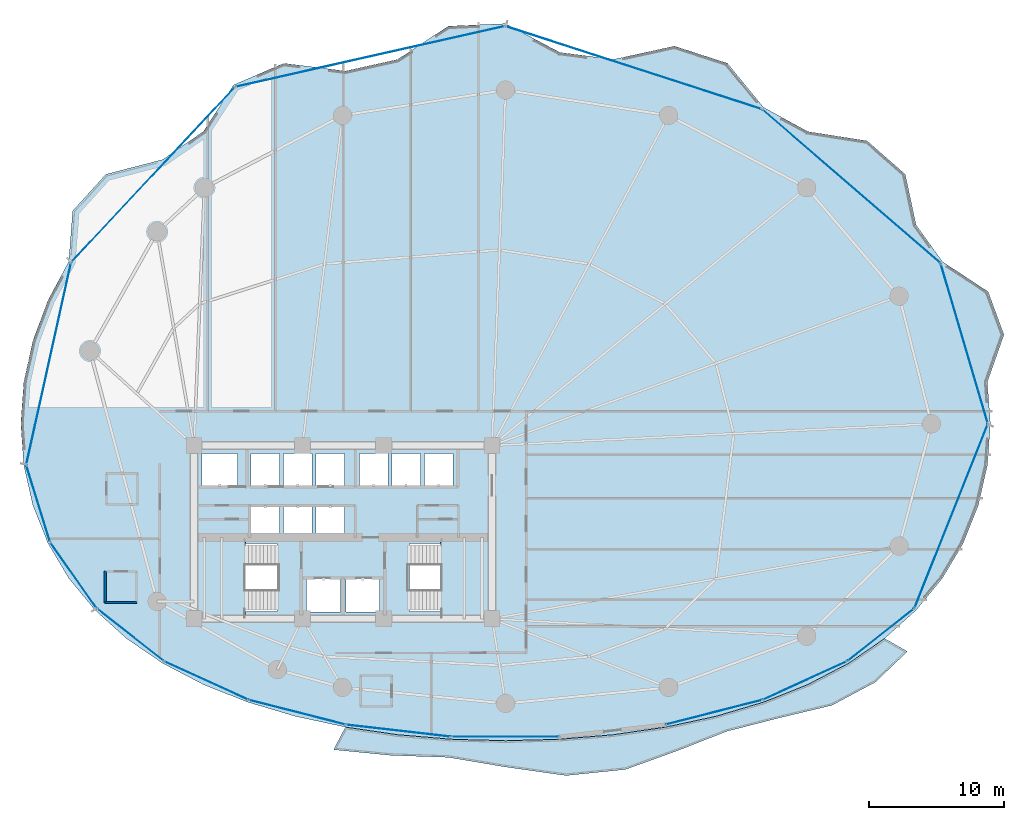
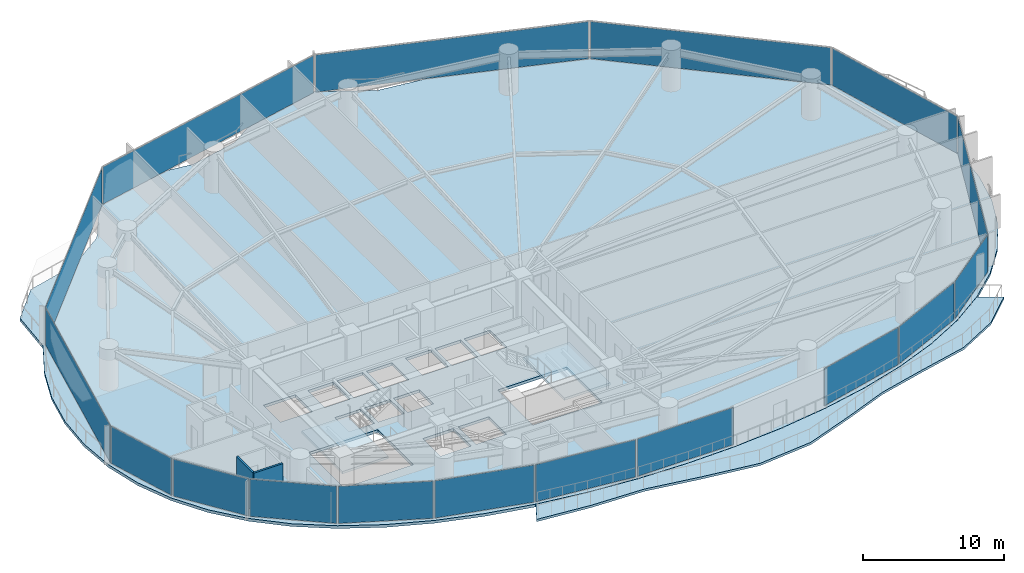
# One storey, part 25 of 34: 17 plates, 4 slabs, 2 walls, 19 elements without a shape of their own.
"""IFC4 building model written with IfcOpenShell, lengths in metres."""

from ifc_helpers import new_model, si_unit, direction, frame, frame_2d, origin, origin_2d, place, context, subcontext, project, spatial, polyline, rectangle, outline, extrude, material, layer, layer_set, type_object, element, aggregate, save


model = new_model("IFC4")

# Units and contexts
model_context = context("Model", 3, precision=1e-05, world=origin(), true_north=direction((0.0, 1.0)))
body_context = subcontext(model_context, "Body", "Model", "MODEL_VIEW")
ifc_project = project(units=[si_unit("LENGTHUNIT", "METRE"), si_unit("AREAUNIT", "SQUARE_METRE"), si_unit("VOLUMEUNIT", "CUBIC_METRE"), si_unit("PLANEANGLEUNIT", "RADIAN"), si_unit("MASSUNIT", "GRAM", prefix="KILO")], contexts=[model_context])

# Site, building, storey
site_placement = place(None, origin())
site = spatial("IfcSite", under=ifc_project, at=site_placement, CompositionType="ELEMENT")
building_placement = place(site_placement, origin())
building = spatial("IfcBuilding", under=site, at=building_placement, Name="Kazevale Care Tower and Concert Hall", CompositionType="ELEMENT")
storey_placement = place(building_placement, frame((0.0, 0.0, 67.199951171875)))
storey = spatial("IfcBuildingStorey", under=building, at=storey_placement, Name="L17", CompositionType="ELEMENT", Elevation=67.199951171875)

# Curtain wall, plate
ifc_material_1 = material(Name="Aluminium 6063-T6 and Low-E Glass", Category="aluminium")
ifc_layer_1 = layer(ifc_material_1, 0.179931640625)
ifc_layer_set_1 = layer_set([ifc_layer_1], Name="Aluminium 6063-T6 and Low-E Glass")
curtain_wall_type_1 = type_object("IfcCurtainWallType", Name="Convex Checkerboard Finned Curtain Wall CW-2", PredefinedType="NOTDEFINED", material=ifc_layer_set_1)
curtain_wall_1_placement = place(storey_placement, origin())
curtain_wall_1 = element("IfcCurtainWall", 1, at=curtain_wall_1_placement, inside=storey, type_object=curtain_wall_type_1, Name="cw:L17:f14", PredefinedType="NOTDEFINED")
ifc_material_2 = material(Name="Low-E Laminated Glass", Category="glass")
ifc_layer_2 = layer(ifc_material_2, 0.028076171875)
ifc_layer_set_2 = layer_set([ifc_layer_2], Name="Low-E Laminated Glass")
plate_type_1 = type_object("IfcPlateType", Name="CW-2 Low-E Glazing Panel 28mm", PredefinedType="CURTAIN_PANEL", material=ifc_layer_set_2)
plate_1_placement = place(storey_placement, frame((18.9794921875, 56.39990234375, 0.074951171875), z_axis=(0.0, 0.0, 1.0), x_axis=(0.683059159381, 0.730363049987, 0.0)))
plate_1 = element("IfcPlate", 2, at=plate_1_placement, type_object=plate_type_1, Name="CW-2 panel 1.1", PredefinedType="CURTAIN_PANEL", context=body_context, shape_type="SweptSolid", body=[
    extrude(rectangle(XDim=17.576416015625, YDim=0.028076171875, at=origin_2d()), origin(), (0.0, 0.0, 1.0), 3.2099609375),
])
aggregate(curtain_wall_1, [plate_1])

curtain_wall_2_placement = place(storey_placement, origin())
curtain_wall_2 = element("IfcCurtainWall", 3, at=curtain_wall_2_placement, inside=storey, type_object=curtain_wall_type_1, Name="cw:L17:f16", PredefinedType="NOTDEFINED")
plate_2_placement = place(storey_placement, frame((54.444580078125, 64.298095703125, 0.074951171875), z_axis=(0.0, 0.0, 1.0), x_axis=(0.951410385043, -0.307925769029, 0.0)))
plate_2 = element("IfcPlate", 4, at=plate_2_placement, type_object=plate_type_1, Name="CW-2 panel 1.1", PredefinedType="CURTAIN_PANEL", context=body_context, shape_type="SweptSolid", body=[
    extrude(rectangle(XDim=19.77978515625, YDim=0.028076171875, at=origin_2d()), origin(), (0.0, 0.0, 1.0), 3.2099609375),
])
aggregate(curtain_wall_2, [plate_2])

ifc_layer_3 = layer(ifc_material_1, 0.179931640625)
ifc_layer_set_3 = layer_set([ifc_layer_3], Name="Aluminium 6063-T6 and Low-E Glass")
curtain_wall_type_2 = type_object("IfcCurtainWallType", Name="Convex Recessed Sunroom Curtain Wall CW-3", PredefinedType="NOTDEFINED", material=ifc_layer_set_3)
curtain_wall_3_placement = place(storey_placement, origin())
curtain_wall_3 = element("IfcCurtainWall", 5, at=curtain_wall_3_placement, inside=storey, type_object=curtain_wall_type_2, Name="cw:L17:f15", PredefinedType="NOTDEFINED")
ifc_layer_4 = layer(ifc_material_2, 0.028076171875)
ifc_layer_set_4 = layer_set([ifc_layer_4], Name="Low-E Laminated Glass")
plate_type_2 = type_object("IfcPlateType", Name="CW-3 Low-E Glazing Panel 28mm", PredefinedType="CURTAIN_PANEL", material=ifc_layer_set_4)
plate_3_placement = place(storey_placement, frame((34.998046875, 65.12255859375, 0.074951171875), z_axis=(0.0, 0.0, 1.0), x_axis=(0.975520013596, 0.219910670667, 0.0)))
plate_3 = element("IfcPlate", 6, at=plate_3_placement, type_object=plate_type_2, Name="CW-3 panel 1.1", PredefinedType="CURTAIN_PANEL", context=body_context, shape_type="SweptSolid", body=[
    extrude(rectangle(XDim=20.27197265625, YDim=0.028076171875, at=origin_2d()), origin(), (0.0, 0.0, 1.0), 3.2099609375),
])
aggregate(curtain_wall_3, [plate_3])

curtain_wall_4_placement = place(storey_placement, origin())
curtain_wall_4 = element("IfcCurtainWall", 7, at=curtain_wall_4_placement, inside=storey, type_object=curtain_wall_type_2, Name="cw:L17:f17", PredefinedType="NOTDEFINED")
plate_4_placement = place(storey_placement, frame((70.529052734375, 55.535400390625, 0.074951171875), z_axis=(0.0, 0.0, 1.0), x_axis=(0.757199570248, -0.653183596561, 0.0)))
plate_4 = element("IfcPlate", 8, at=plate_4_placement, type_object=plate_type_2, Name="CW-3 panel 1.1", PredefinedType="CURTAIN_PANEL", context=body_context, shape_type="SweptSolid", body=[
    extrude(rectangle(XDim=17.280029296875, YDim=0.028076171875, at=origin_2d()), origin(), (0.0, 0.0, 1.0), 3.2099609375),
])
aggregate(curtain_wall_4, [plate_4])

ifc_layer_5 = layer(ifc_material_1, 0.179931640625)
ifc_layer_set_5 = layer_set([ifc_layer_5], Name="Aluminium 6063-T6 and Low-E Glass")
curtain_wall_type_3 = type_object("IfcCurtainWallType", Name="Waist & Upper Residential Curtain Wall CW-4", PredefinedType="NOTDEFINED", material=ifc_layer_set_5)
curtain_wall_5_placement = place(storey_placement, origin())
curtain_wall_5 = element("IfcCurtainWall", 9, at=curtain_wall_5_placement, inside=storey, type_object=curtain_wall_type_3, Name="cw:L17:f01", PredefinedType="NOTDEFINED")
ifc_layer_6 = layer(ifc_material_2, 0.030029296875)
ifc_layer_set_6 = layer_set([ifc_layer_6], Name="Low-E Laminated Glass")
plate_type_3 = type_object("IfcPlateType", Name="CW-4 Low-E Glazing Panel 30mm", PredefinedType="CURTAIN_PANEL", material=ifc_layer_set_6)
plate_5_placement = place(storey_placement, frame((77.90087890625, 31.181884765625, 0.080078125), z_axis=(0.0, 0.0, 1.0), x_axis=(-0.370427424456, -0.928861412274, 0.0)))
plate_5 = element("IfcPlate", 10, at=plate_5_placement, type_object=plate_type_3, Name="CW-4 panel 1.1", PredefinedType="CURTAIN_PANEL", context=body_context, shape_type="SweptSolid", body=[
    extrude(rectangle(XDim=14.520263671875, YDim=0.030029296875, at=origin_2d()), origin(), (0.0, 0.0, 1.0), 3.199951171875),
])
aggregate(curtain_wall_5, [plate_5])

curtain_wall_6_placement = place(storey_placement, origin())
curtain_wall_6 = element("IfcCurtainWall", 11, at=curtain_wall_6_placement, inside=storey, type_object=curtain_wall_type_3, Name="cw:L17:f11", PredefinedType="NOTDEFINED")
plate_6_placement = place(storey_placement, frame((13.094482421875, 26.81103515625, 0.080078125), z_axis=(0.0, 0.0, 1.0), x_axis=(-0.575836813322, 0.817564654583, 0.0)))
plate_6 = element("IfcPlate", 12, at=plate_6_placement, type_object=plate_type_3, Name="CW-4 panel 1.1", PredefinedType="CURTAIN_PANEL", context=body_context, shape_type="SweptSolid", body=[
    extrude(rectangle(XDim=5.826171875, YDim=0.030029296875, at=origin_2d()), origin(), (0.0, 0.0, 1.0), 3.199951171875),
])
aggregate(curtain_wall_6, [plate_6])

curtain_wall_7_placement = place(storey_placement, origin())
curtain_wall_7 = element("IfcCurtainWall", 13, at=curtain_wall_7_placement, inside=storey, type_object=curtain_wall_type_3, Name="cw:L17:f12", PredefinedType="NOTDEFINED")
plate_7_placement = place(storey_placement, frame((10.487548828125, 32.10791015625, 0.080078125), z_axis=(0.0, 0.0, 1.0), x_axis=(-0.296098771112, 0.955157326175, 0.0)))
plate_7 = element("IfcPlate", 14, at=plate_7_placement, type_object=plate_type_3, Name="CW-4 panel 1.1", PredefinedType="CURTAIN_PANEL", context=body_context, shape_type="SweptSolid", body=[
    extrude(rectangle(XDim=5.8076171875, YDim=0.030029296875, at=origin_2d()), origin(), (0.0, 0.0, 1.0), 3.199951171875),
])
aggregate(curtain_wall_7, [plate_7])

curtain_wall_8_placement = place(storey_placement, origin())
curtain_wall_8 = element("IfcCurtainWall", 15, at=curtain_wall_8_placement, inside=storey, type_object=curtain_wall_type_3, Name="cw:L17:f13", PredefinedType="NOTDEFINED")
plate_8_placement = place(storey_placement, frame((11.262939453125, 42.4404296875, 0.080078125), z_axis=(0.0, 0.0, 1.0), x_axis=(0.216460716862, 0.976291328475, 0.0)))
plate_8 = element("IfcPlate", 16, at=plate_8_placement, type_object=plate_type_3, Name="CW-4 panel 1.1", PredefinedType="CURTAIN_PANEL", context=body_context, shape_type="SweptSolid", body=[
    extrude(rectangle(XDim=15.16845703125, YDim=0.030029296875, at=origin_2d()), origin(), (0.0, 0.0, 1.0), 3.199951171875),
])
aggregate(curtain_wall_8, [plate_8])

curtain_wall_9_placement = place(storey_placement, origin())
curtain_wall_9 = element("IfcCurtainWall", 17, at=curtain_wall_9_placement, inside=storey, type_object=curtain_wall_type_3, Name="cw:L17:f18", PredefinedType="NOTDEFINED")
plate_9_placement = place(storey_placement, frame((78.8740234375, 43.92138671875, 0.080078125), z_axis=(0.0, 0.0, 1.0), x_axis=(0.282819600918, -0.959173119586, 0.0)))
plate_9 = element("IfcPlate", 18, at=plate_9_placement, type_object=plate_type_3, Name="CW-4 panel 1.1", PredefinedType="CURTAIN_PANEL", context=body_context, shape_type="SweptSolid", body=[
    extrude(rectangle(XDim=12.18701171875, YDim=0.030029296875, at=origin_2d()), origin(), (0.0, 0.0, 1.0), 3.199951171875),
])
aggregate(curtain_wall_9, [plate_9])

ifc_layer_7 = layer(ifc_material_1, 0.179931640625)
ifc_layer_set_7 = layer_set([ifc_layer_7], Name="Aluminium 6063-T6 and Low-E Glass")
curtain_wall_type_4 = type_object("IfcCurtainWallType", Name="Sheltered Concave Balcony Curtain Wall CW-5", PredefinedType="NOTDEFINED", material=ifc_layer_set_7)
curtain_wall_10_placement = place(storey_placement, origin())
curtain_wall_10 = element("IfcCurtainWall", 19, at=curtain_wall_10_placement, inside=storey, type_object=curtain_wall_type_4, Name="cw:L17:f02", PredefinedType="NOTDEFINED")
ifc_layer_8 = layer(ifc_material_2, 0.02587890625)
ifc_layer_set_8 = layer_set([ifc_layer_8], Name="Low-E Laminated Glass")
plate_type_4 = type_object("IfcPlateType", Name="CW-5 Low-E Glazing Panel 26mm", PredefinedType="CURTAIN_PANEL", material=ifc_layer_set_8)
plate_10_placement = place(storey_placement, frame((72.701904296875, 22.41552734375, 0.074951171875), z_axis=(0.0, 0.0, 1.0), x_axis=(-0.78632934107, -0.617807548814, 0.0)))
plate_10 = element("IfcPlate", 20, at=plate_10_placement, type_object=plate_type_4, Name="CW-5 panel 1.1", PredefinedType="CURTAIN_PANEL", context=body_context, shape_type="SweptSolid", body=[
    extrude(rectangle(XDim=6.15771484375, YDim=0.02587890625, at=origin_2d()), origin(), (0.0, 0.0, 1.0), 3.2099609375),
])
aggregate(curtain_wall_10, [plate_10])

curtain_wall_11_placement = place(storey_placement, origin())
curtain_wall_11 = element("IfcCurtainWall", 21, at=curtain_wall_11_placement, inside=storey, type_object=curtain_wall_type_4, Name="cw:L17:f03", PredefinedType="NOTDEFINED")
plate_11_placement = place(storey_placement, frame((67.10498046875, 19.04248046875, 0.074951171875), z_axis=(0.0, 0.0, 1.0), x_axis=(-0.909520179795, -0.415659767773, 0.0)))
plate_11 = element("IfcPlate", 22, at=plate_11_placement, type_object=plate_type_4, Name="CW-5 panel 1.1", PredefinedType="CURTAIN_PANEL", context=body_context, shape_type="SweptSolid", body=[
    extrude(rectangle(XDim=6.7041015625, YDim=0.02587890625, at=origin_2d()), origin(), (0.0, 0.0, 1.0), 3.2099609375),
])
aggregate(curtain_wall_11, [plate_11])

curtain_wall_12_placement = place(storey_placement, origin())
curtain_wall_12 = element("IfcCurtainWall", 23, at=curtain_wall_12_placement, inside=storey, type_object=curtain_wall_type_4, Name="cw:L17:f04", PredefinedType="NOTDEFINED")
plate_12_placement = place(storey_placement, frame((60.389892578125, 16.699951171875, 0.074951171875), z_axis=(0.0, 0.0, 1.0), x_axis=(-0.968958899798, -0.247221864936, 0.0)))
plate_12 = element("IfcPlate", 24, at=plate_12_placement, type_object=plate_type_4, Name="CW-5 panel 1.1", PredefinedType="CURTAIN_PANEL", context=body_context, shape_type="SweptSolid", body=[
    extrude(rectangle(XDim=7.276611328125, YDim=0.02587890625, at=origin_2d()), origin(), (0.0, 0.0, 1.0), 3.2099609375),
])
aggregate(curtain_wall_12, [plate_12])

curtain_wall_13_placement = place(storey_placement, origin())
curtain_wall_13 = element("IfcCurtainWall", 25, at=curtain_wall_13_placement, inside=storey, type_object=curtain_wall_type_4, Name="cw:L17:f06", PredefinedType="NOTDEFINED")
plate_13_placement = place(storey_placement, frame((45.0, 14.889892578125, 0.074951171875), z_axis=(0.0, 0.0, 1.0), x_axis=(-1.0, 0.0, 0.0)))
plate_13 = element("IfcPlate", 26, at=plate_13_placement, type_object=plate_type_4, Name="CW-5 panel 1.1", PredefinedType="CURTAIN_PANEL", context=body_context, shape_type="SweptSolid", body=[
    extrude(rectangle(XDim=7.845947265625, YDim=0.02587890625, at=origin_2d()), origin(), (0.0, 0.0, 1.0), 3.2099609375),
])
aggregate(curtain_wall_13, [plate_13])

curtain_wall_14_placement = place(storey_placement, origin())
curtain_wall_14 = element("IfcCurtainWall", 27, at=curtain_wall_14_placement, inside=storey, type_object=curtain_wall_type_4, Name="cw:L17:f07", PredefinedType="NOTDEFINED")
plate_14_placement = place(storey_placement, frame((37.10498046875, 15.3359375, 0.074951171875), z_axis=(0.0, 0.0, 1.0), x_axis=(-0.993514581883, 0.113704773808, 0.0)))
plate_14 = element("IfcPlate", 28, at=plate_14_placement, type_object=plate_type_4, Name="CW-5 panel 1.1", PredefinedType="CURTAIN_PANEL", context=body_context, shape_type="SweptSolid", body=[
    extrude(rectangle(XDim=7.69482421875, YDim=0.02587890625, at=origin_2d()), origin(), (0.0, 0.0, 1.0), 3.2099609375),
])
aggregate(curtain_wall_14, [plate_14])

curtain_wall_15_placement = place(storey_placement, origin())
curtain_wall_15 = element("IfcCurtainWall", 29, at=curtain_wall_15_placement, inside=storey, type_object=curtain_wall_type_4, Name="cw:L17:f08", PredefinedType="NOTDEFINED")
plate_15_placement = place(storey_placement, frame((29.610107421875, 16.699951171875, 0.074951171875), z_axis=(0.0, 0.0, 1.0), x_axis=(-0.968958899798, 0.247221864936, 0.0)))
plate_15 = element("IfcPlate", 30, at=plate_15_placement, type_object=plate_type_4, Name="CW-5 panel 1.1", PredefinedType="CURTAIN_PANEL", context=body_context, shape_type="SweptSolid", body=[
    extrude(rectangle(XDim=7.276611328125, YDim=0.02587890625, at=origin_2d()), origin(), (0.0, 0.0, 1.0), 3.2099609375),
])
aggregate(curtain_wall_15, [plate_15])

curtain_wall_16_placement = place(storey_placement, origin())
curtain_wall_16 = element("IfcCurtainWall", 31, at=curtain_wall_16_placement, inside=storey, type_object=curtain_wall_type_4, Name="cw:L17:f09", PredefinedType="NOTDEFINED")
plate_16_placement = place(storey_placement, frame((22.89501953125, 19.04248046875, 0.074951171875), z_axis=(0.0, 0.0, 1.0), x_axis=(-0.909520179795, 0.415659767773, 0.0)))
plate_16 = element("IfcPlate", 32, at=plate_16_placement, type_object=plate_type_4, Name="CW-5 panel 1.1", PredefinedType="CURTAIN_PANEL", context=body_context, shape_type="SweptSolid", body=[
    extrude(rectangle(XDim=6.7041015625, YDim=0.02587890625, at=origin_2d()), origin(), (0.0, 0.0, 1.0), 3.2099609375),
])
aggregate(curtain_wall_16, [plate_16])

curtain_wall_17_placement = place(storey_placement, origin())
curtain_wall_17 = element("IfcCurtainWall", 33, at=curtain_wall_17_placement, inside=storey, type_object=curtain_wall_type_4, Name="cw:L17:f10", PredefinedType="NOTDEFINED")
plate_17_placement = place(storey_placement, frame((17.298095703125, 22.41552734375, 0.074951171875), z_axis=(0.0, 0.0, 1.0), x_axis=(-0.78632934107, 0.617807548814, 0.0)))
plate_17 = element("IfcPlate", 34, at=plate_17_placement, type_object=plate_type_4, Name="CW-5 panel 1.1", PredefinedType="CURTAIN_PANEL", context=body_context, shape_type="SweptSolid", body=[
    extrude(rectangle(XDim=6.15771484375, YDim=0.02587890625, at=origin_2d()), origin(), (0.0, 0.0, 1.0), 3.2099609375),
])
aggregate(curtain_wall_17, [plate_17])

# Slab
ifc_material_3 = material(Name="Concrete C40", Category="concrete")
ifc_layer_9 = layer(ifc_material_3, 0.199951171875)
ifc_layer_set_9 = layer_set([ifc_layer_9], Name="Concrete C40")
slab_type_1 = type_object("IfcSlabType", Name="Sinusoidal Concave Balcony Slab 200", PredefinedType="USERDEFINED", material=ifc_layer_set_9)
slab_1_placement = place(storey_placement, frame((0.0, 0.0, -0.199951171875)))
element("IfcSlab", 35, at=slab_1_placement, inside=storey, type_object=slab_type_1, Name="slab:L17:bal", ObjectType="BALCONY", PredefinedType="USERDEFINED", context=body_context, shape_type="SweptSolid", body=[
    extrude(outline(polyline([(74.67236328125, 21.18994140625), (72.302001953125, 18.92333984375), (69.1015625, 17.212158203125), (65.14111328125, 16.266845703125), (61.33349609375, 15.290283203125), (57.735595703125, 13.87841796875), (53.857421875, 12.475830078125), (49.470458984375, 12.025146484375), (45.0, 12.660400390625), (40.76123046875, 13.37109375), (36.50439453125, 13.517822265625), (32.29541015625, 13.9375), (33.173583984375, 15.6005859375), (33.175048828125, 15.600341796875), (37.033203125, 15.038818359375), (40.991455078125, 14.705322265625), (45.0, 14.594970703125), (49.008544921875, 14.705322265625), (52.966796875, 15.038818359375), (56.824951171875, 15.600341796875), (60.5341796875, 16.3984375), (64.04833984375, 17.443115234375), (67.322998046875, 18.743408203125), (70.31689453125, 20.3076171875), (72.99267578125, 22.139404296875), (72.994140625, 22.140625), (74.67236328125, 21.18994140625)])), origin(), (0.0, 0.0, 1.0), 0.199951171875),
])

# Stair, slab
stair_type = type_object("IfcStairType", Name="Exit Stair Assembly ST1-Z1", PredefinedType="HALF_TURN_STAIR", material=ifc_material_3)
stair_1_placement = place(storey_placement, origin())
stair_1 = element("IfcStair", 36, at=stair_1_placement, inside=storey, type_object=stair_type, Name="stair:L17:ST1", PredefinedType="HALF_TURN_STAIR")
ifc_layer_10 = layer(ifc_material_3, 0.199951171875)
ifc_layer_set_10 = layer_set([ifc_layer_10], Name="Concrete C40")
slab_type_2 = type_object("IfcSlabType", Name="Stair Half-Landing Slab ST1-Z1", PredefinedType="LANDING", material=ifc_layer_set_10)
slab_2_placement = place(storey_placement, frame((0.0, 0.0, 1.60009765625)))
slab_2 = element("IfcSlab", 37, at=slab_2_placement, type_object=slab_type_2, Name="ST1-Z1 landing 1", PredefinedType="LANDING", context=body_context, shape_type="SweptSolid", body=[
    extrude(outline(polyline([(22.050048828125, 23.699951171875), (25.81005859375, 23.699951171875), (25.81005859375, 29.5), (22.050048828125, 29.5), (22.050048828125, 23.699951171875)])), origin(), (0.0, 0.0, 1.0), 0.199951171875),
])
aggregate(stair_1, [slab_2])

stair_2_placement = place(storey_placement, origin())
stair_2 = element("IfcStair", 38, at=stair_2_placement, inside=storey, type_object=stair_type, Name="stair:L17:ST2", PredefinedType="HALF_TURN_STAIR")
slab_3_placement = place(storey_placement, frame((0.0, 0.0, 1.60009765625)))
slab_3 = element("IfcSlab", 39, at=slab_3_placement, type_object=slab_type_2, Name="ST1-Z1 landing 1", PredefinedType="LANDING", context=body_context, shape_type="SweptSolid", body=[
    extrude(outline(polyline([(40.18994140625, 23.699951171875), (43.949951171875, 23.699951171875), (43.949951171875, 29.5), (40.18994140625, 29.5), (40.18994140625, 23.699951171875)])), origin(), (0.0, 0.0, 1.0), 0.199951171875),
])
aggregate(stair_2, [slab_3])

# Slab
ifc_layer_11 = layer(ifc_material_3, 0.239990234375)
ifc_layer_set_11 = layer_set([ifc_layer_11], Name="Concrete C40")
slab_type_3 = type_object("IfcSlabType", Name="Tower Typical Floor Slab 240", PredefinedType="FLOOR", material=ifc_layer_set_11)
slab_4_placement = place(storey_placement, frame((0.0, 0.0, -0.239990234375)))
element("IfcSlab", 40, at=slab_4_placement, inside=storey, type_object=slab_type_3, Name="slab:L17:tw:1", PredefinedType="FLOOR", context=body_context, shape_type="SweptSolid", body=[
    extrude(outline(polyline([(80.800048828125, 38.0), (80.574951171875, 41.090087890625), (81.803466796875, 44.575439453125), (80.631591796875, 47.759765625), (77.254638671875, 49.97509765625), (75.312744140625, 52.68408203125), (74.51416015625, 56.424072265625), (71.693359375, 58.89501953125), (67.32080078125, 59.57861328125), (64.046630859375, 61.36962890625), (61.379150390625, 64.62353515625), (57.468017578125, 65.891845703125), (52.96630859375, 64.907958984375), (49.00830078125, 65.426513671875), (45.0, 67.550048828125), (40.773193359375, 67.3642578125), (37.03369140625, 64.907958984375), (33.176025390625, 64.05126953125), (28.620849609375, 64.62353515625), (24.915771484375, 63.020751953125), (22.67919921875, 59.57861328125), (19.685546875, 57.51611328125), (15.48583984375, 56.424072265625), (13.0361328125, 53.721435546875), (12.745361328125, 49.97509765625), (11.208984375, 47.11572265625), (10.09765625, 44.1416015625), (9.425048828125, 41.090087890625), (9.199951171875, 38.0), (9.425048828125, 34.931640625), (10.09765625, 31.972412109375), (11.208984375, 29.178466796875), (12.745361328125, 26.591064453125), (14.687255859375, 24.239501953125), (17.010498046875, 22.143310546875), (19.685546875, 20.31201171875), (22.67919921875, 18.748046875), (25.953369140625, 17.44775390625), (29.467041015625, 16.4033203125), (33.176025390625, 15.605224609375), (37.03369140625, 15.043701171875), (40.99169921875, 14.71044921875), (45.0, 14.60009765625), (49.00830078125, 14.71044921875), (52.96630859375, 15.043701171875), (56.823974609375, 15.605224609375), (60.532958984375, 16.4033203125), (64.046630859375, 17.44775390625), (67.32080078125, 18.748046875), (70.314453125, 20.31201171875), (72.989501953125, 22.143310546875), (75.312744140625, 24.239501953125), (77.254638671875, 26.591064453125), (78.791015625, 29.178466796875), (79.90234375, 31.972412109375), (80.574951171875, 34.931640625), (80.800048828125, 38.0)]), holes=[polyline([(22.449951171875, 24.14990234375), (28.110107421875, 24.14990234375), (28.110107421875, 29.14990234375), (22.449951171875, 29.14990234375), (22.449951171875, 24.14990234375)]), polyline([(37.889892578125, 24.14990234375), (43.550048828125, 24.14990234375), (43.550048828125, 29.14990234375), (37.889892578125, 29.14990234375), (37.889892578125, 24.14990234375)]), polyline([(30.300048828125, 24.10009765625), (32.800048828125, 24.10009765625), (32.800048828125, 26.60009765625), (30.300048828125, 26.60009765625), (30.300048828125, 24.10009765625)]), polyline([(33.199951171875, 24.10009765625), (35.699951171875, 24.10009765625), (35.699951171875, 26.60009765625), (33.199951171875, 26.60009765625), (33.199951171875, 24.10009765625)]), polyline([(22.60009765625, 33.39990234375), (25.199951171875, 33.39990234375), (25.199951171875, 35.800048828125), (22.60009765625, 35.800048828125), (22.60009765625, 33.39990234375)]), polyline([(26.199951171875, 33.39990234375), (28.300048828125, 33.39990234375), (28.300048828125, 35.800048828125), (26.199951171875, 35.800048828125), (26.199951171875, 33.39990234375)]), polyline([(28.60009765625, 33.39990234375), (30.699951171875, 33.39990234375), (30.699951171875, 35.800048828125), (28.60009765625, 35.800048828125), (28.60009765625, 33.39990234375)]), polyline([(31.0, 33.39990234375), (33.10009765625, 33.39990234375), (33.10009765625, 35.800048828125), (31.0, 35.800048828125), (31.0, 33.39990234375)]), polyline([(34.199951171875, 33.39990234375), (36.300048828125, 33.39990234375), (36.300048828125, 35.800048828125), (34.199951171875, 35.800048828125), (34.199951171875, 33.39990234375)]), polyline([(36.60009765625, 33.39990234375), (38.699951171875, 33.39990234375), (38.699951171875, 35.800048828125), (36.60009765625, 35.800048828125), (36.60009765625, 33.39990234375)]), polyline([(39.0, 33.39990234375), (41.10009765625, 33.39990234375), (41.10009765625, 35.800048828125), (39.0, 35.800048828125), (39.0, 33.39990234375)]), polyline([(26.199951171875, 29.949951171875), (28.300048828125, 29.949951171875), (28.300048828125, 31.949951171875), (26.199951171875, 31.949951171875), (26.199951171875, 29.949951171875)]), polyline([(28.60009765625, 29.949951171875), (30.699951171875, 29.949951171875), (30.699951171875, 31.949951171875), (28.60009765625, 31.949951171875), (28.60009765625, 29.949951171875)]), polyline([(31.0, 29.949951171875), (33.10009765625, 29.949951171875), (33.10009765625, 31.949951171875), (31.0, 31.949951171875), (31.0, 29.949951171875)])]), origin(), (0.0, 0.0, 1.0), 0.239990234375),
])

# Walls
ifc_material_4 = material(Name="Acoustic Gypsum on Steel Stud", Category="steel")
ifc_layer_12 = layer(ifc_material_4, 0.159912109375)
ifc_layer_set_12 = layer_set([ifc_layer_12], Name="Acoustic Gypsum on Steel Stud")
wall_type = type_object("IfcWallType", Name="Moisture-Resistant Bathroom Plumbing Wall 160", PredefinedType="PLUMBINGWALL", material=ifc_layer_set_12)
for number, where, z_axis, x_axis, name in (
    (41, (15.404052734375, 24.800048828125, 0.0), (0.0, 0.0, 1.0), (1.0, 0.0, 0.0), "wall:L17:wb2_ens_ws"),
    (42, (15.444091796875, 24.760009765625, 0.0), (0.0, 0.0, 1.0), (0.0, 1.0, 0.0), "wall:L17:wb2_ens_ww"),
):
    element("IfcWall", number, at=place(storey_placement, frame(where, z_axis=z_axis, x_axis=x_axis)), inside=storey, type_object=wall_type, Name=name, PredefinedType="PLUMBINGWALL", context=body_context, shape_type="SweptSolid", body=[
        extrude(rectangle(XDim=2.3798828125, YDim=0.159912109375, at=frame_2d((1.18994140625, 0.0))), origin(), (0.0, 0.0, 1.0), 3.360107421875),
    ])

save(model, "model.ifc")
